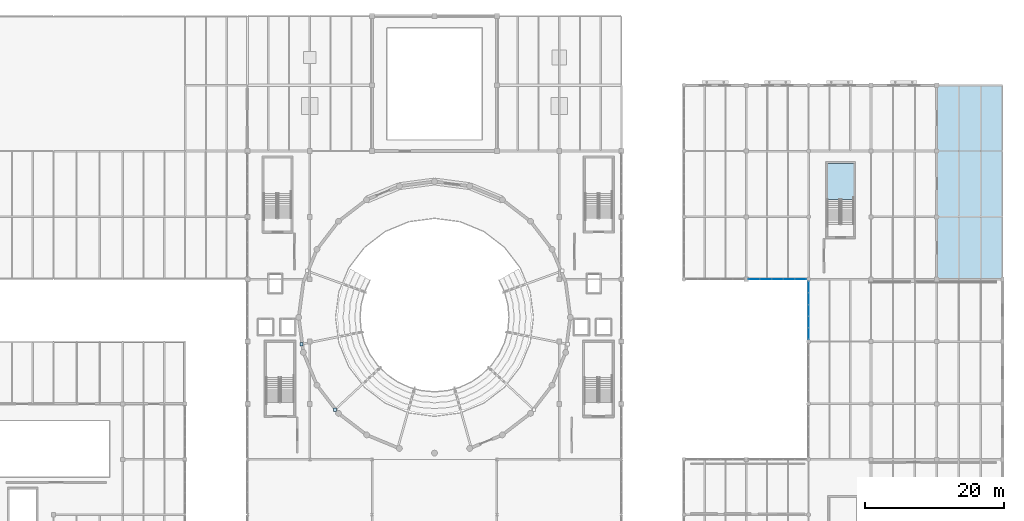
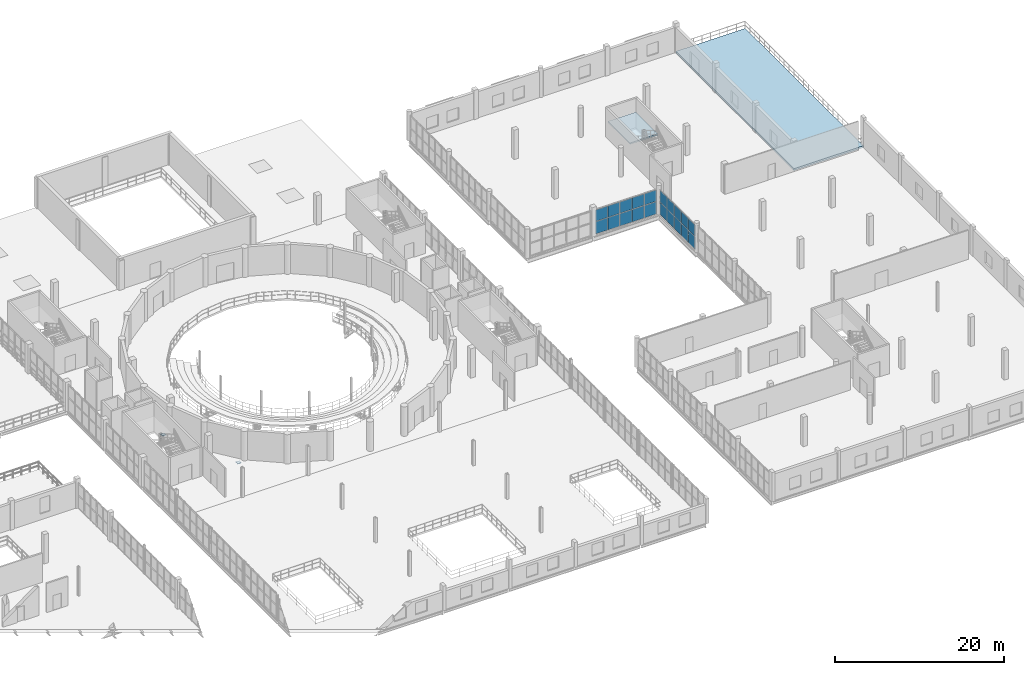
# One storey, part 52 of 73: 22 plates, 2 slabs, 3 elements without a shape of their own.
"""IFC4 building model written with IfcOpenShell, lengths in metres."""

from ifc_helpers import new_model, si_unit, direction, frame, origin, origin_2d, place, context, subcontext, project, spatial, polyline, rectangle, outline, extrude, material, layer, layer_set, type_object, element, aggregate, save


model = new_model("IFC4")

# Units and contexts
model_context = context("Model", 3, precision=1e-05, world=origin(), true_north=direction((0.0, 1.0)))
body_context = subcontext(model_context, "Body", "Model", "MODEL_VIEW")
ifc_project = project(units=[si_unit("LENGTHUNIT", "METRE"), si_unit("AREAUNIT", "SQUARE_METRE"), si_unit("VOLUMEUNIT", "CUBIC_METRE"), si_unit("PLANEANGLEUNIT", "RADIAN"), si_unit("MASSUNIT", "GRAM", prefix="KILO")], contexts=[model_context])

# Site, building, storey
site_placement = place(None, origin())
site = spatial("IfcSite", under=ifc_project, at=site_placement, CompositionType="ELEMENT")
building_placement = place(site_placement, origin())
building = spatial("IfcBuilding", under=site, at=building_placement, Name="Marnock Terrace Opera House", CompositionType="ELEMENT")
storey_placement = place(building_placement, frame((0.0, 0.0, 14.699951171875)))
storey = spatial("IfcBuildingStorey", under=building, at=storey_placement, Name="L03", CompositionType="ELEMENT", Elevation=14.699951171875)

# Curtain wall, plates
ifc_material_1 = material(Name="Anodised architectural bronze aluminium framing", Category="aluminium")
ifc_layer_1 = layer(ifc_material_1, 0.159912109375)
ifc_layer_set_1 = layer_set([ifc_layer_1], Name="Anodised architectural bronze aluminium framing")
curtain_wall_type = type_object("IfcCurtainWallType", Name="CW-LOGGIA-86x42", PredefinedType="NOTDEFINED", material=ifc_layer_set_1)
curtain_wall_1_placement = place(storey_placement, origin())
curtain_wall_1 = element("IfcCurtainWall", 1, at=curtain_wall_1_placement, inside=storey, type_object=curtain_wall_type, Name="L03 glazed Beaux-Arts colonnade curtain wall CW-V5-L03-CE3", PredefinedType="NOTDEFINED")
ifc_material_2 = material(Name="Double-glazed acoustic low-E laminated glass", Category="glass")
ifc_layer_2 = layer(ifc_material_2, 0.028076171875)
ifc_layer_set_2 = layer_set([ifc_layer_2], Name="Double-glazed acoustic low-E laminated glass")
plate_type_1 = type_object("IfcPlateType", Name="CWP-GLZ-28", PredefinedType="CURTAIN_PANEL", material=ifc_layer_set_2)
plate_1_placement = place(storey_placement, frame((136.0, 58.15185546875, 0.06005859375), z_axis=(0.0, 0.0, 1.0), x_axis=(0.0, 1.0, 0.0)))
plate_1 = element("IfcPlate", 2, at=plate_1_placement, type_object=plate_type_1, Name="CW-66 panel 1.1", PredefinedType="CURTAIN_PANEL", context=body_context, shape_type="SweptSolid", body=[
    extrude(rectangle(XDim=1.591552734375, YDim=0.028076171875, at=origin_2d()), origin(), (0.0, 0.0, 1.0), 1.79150390625),
])
plate_2_placement = place(storey_placement, frame((136.0, 58.15185546875, 1.91162109375), z_axis=(0.0, 0.0, 1.0), x_axis=(0.0, 1.0, 0.0)))
plate_2 = element("IfcPlate", 3, at=plate_2_placement, type_object=plate_type_1, Name="CW-66 panel 1.2", PredefinedType="CURTAIN_PANEL", context=body_context, shape_type="SweptSolid", body=[
    extrude(rectangle(XDim=1.591552734375, YDim=0.028076171875, at=origin_2d()), origin(), (0.0, 0.0, 1.0), 1.646484375),
])
plate_3_placement = place(storey_placement, frame((136.0, 59.818359375, 0.06005859375), z_axis=(0.0, 0.0, 1.0), x_axis=(0.0, 1.0, 0.0)))
plate_3 = element("IfcPlate", 4, at=plate_3_placement, type_object=plate_type_1, Name="CW-66 panel 2.1", PredefinedType="CURTAIN_PANEL", context=body_context, shape_type="SweptSolid", body=[
    extrude(rectangle(XDim=1.62158203125, YDim=0.028076171875, at=origin_2d()), origin(), (0.0, 0.0, 1.0), 1.79150390625),
])
plate_4_placement = place(storey_placement, frame((136.0, 59.818359375, 1.91162109375), z_axis=(0.0, 0.0, 1.0), x_axis=(0.0, 1.0, 0.0)))
plate_4 = element("IfcPlate", 5, at=plate_4_placement, type_object=plate_type_1, Name="CW-66 panel 2.2", PredefinedType="CURTAIN_PANEL", context=body_context, shape_type="SweptSolid", body=[
    extrude(rectangle(XDim=1.62158203125, YDim=0.028076171875, at=origin_2d()), origin(), (0.0, 0.0, 1.0), 1.646484375),
])
plate_5_placement = place(storey_placement, frame((136.0, 61.5, 0.06005859375), z_axis=(0.0, 0.0, 1.0), x_axis=(0.0, 1.0, 0.0)))
plate_5 = element("IfcPlate", 6, at=plate_5_placement, type_object=plate_type_1, Name="CW-66 panel 3.1", PredefinedType="CURTAIN_PANEL", context=body_context, shape_type="SweptSolid", body=[
    extrude(rectangle(XDim=1.62158203125, YDim=0.028076171875, at=origin_2d()), origin(), (0.0, 0.0, 1.0), 1.79150390625),
])
plate_6_placement = place(storey_placement, frame((136.0, 61.5, 1.91162109375), z_axis=(0.0, 0.0, 1.0), x_axis=(0.0, 1.0, 0.0)))
plate_6 = element("IfcPlate", 7, at=plate_6_placement, type_object=plate_type_1, Name="CW-66 panel 3.2", PredefinedType="CURTAIN_PANEL", context=body_context, shape_type="SweptSolid", body=[
    extrude(rectangle(XDim=1.62158203125, YDim=0.028076171875, at=origin_2d()), origin(), (0.0, 0.0, 1.0), 1.646484375),
])
plate_7_placement = place(storey_placement, frame((136.0, 63.181640625, 0.06005859375), z_axis=(0.0, 0.0, 1.0), x_axis=(0.0, 1.0, 0.0)))
plate_7 = element("IfcPlate", 8, at=plate_7_placement, type_object=plate_type_1, Name="CW-66 panel 4.1", PredefinedType="CURTAIN_PANEL", context=body_context, shape_type="SweptSolid", body=[
    extrude(rectangle(XDim=1.62158203125, YDim=0.028076171875, at=origin_2d()), origin(), (0.0, 0.0, 1.0), 1.79150390625),
])
plate_8_placement = place(storey_placement, frame((136.0, 63.181640625, 1.91162109375), z_axis=(0.0, 0.0, 1.0), x_axis=(0.0, 1.0, 0.0)))
plate_8 = element("IfcPlate", 9, at=plate_8_placement, type_object=plate_type_1, Name="CW-66 panel 4.2", PredefinedType="CURTAIN_PANEL", context=body_context, shape_type="SweptSolid", body=[
    extrude(rectangle(XDim=1.62158203125, YDim=0.028076171875, at=origin_2d()), origin(), (0.0, 0.0, 1.0), 1.646484375),
])
plate_9_placement = place(storey_placement, frame((136.0, 64.84814453125, 0.06005859375), z_axis=(0.0, 0.0, 1.0), x_axis=(0.0, 1.0, 0.0)))
plate_9 = element("IfcPlate", 10, at=plate_9_placement, type_object=plate_type_1, Name="CW-66 panel 5.1", PredefinedType="CURTAIN_PANEL", context=body_context, shape_type="SweptSolid", body=[
    extrude(rectangle(XDim=1.591552734375, YDim=0.028076171875, at=origin_2d()), origin(), (0.0, 0.0, 1.0), 1.79150390625),
])
plate_10_placement = place(storey_placement, frame((136.0, 64.84814453125, 1.91162109375), z_axis=(0.0, 0.0, 1.0), x_axis=(0.0, 1.0, 0.0)))
plate_10 = element("IfcPlate", 11, at=plate_10_placement, type_object=plate_type_1, Name="CW-66 panel 5.2", PredefinedType="CURTAIN_PANEL", context=body_context, shape_type="SweptSolid", body=[
    extrude(rectangle(XDim=1.591552734375, YDim=0.028076171875, at=origin_2d()), origin(), (0.0, 0.0, 1.0), 1.646484375),
])
aggregate(curtain_wall_1, [plate_1, plate_2, plate_3, plate_4, plate_5, plate_6, plate_7, plate_8, plate_9, plate_10])

curtain_wall_2_placement = place(storey_placement, origin())
curtain_wall_2 = element("IfcCurtainWall", 12, at=curtain_wall_2_placement, inside=storey, type_object=curtain_wall_type, Name="L03 glazed Beaux-Arts colonnade curtain wall CW-V5-L03-CN2", PredefinedType="NOTDEFINED")
plate_11_placement = place(storey_placement, frame((128.15185546875, 66.0, 0.06005859375), z_axis=(0.0, 0.0, 1.0), x_axis=(1.0, 0.0, 0.0)))
plate_11 = element("IfcPlate", 13, at=plate_11_placement, type_object=plate_type_1, Name="CW-66 panel 1.1", PredefinedType="CURTAIN_PANEL", context=body_context, shape_type="SweptSolid", body=[
    extrude(rectangle(XDim=1.591552734375, YDim=0.028076171875, at=origin_2d()), origin(), (0.0, 0.0, 1.0), 1.786376953125),
])
plate_12_placement = place(storey_placement, frame((128.15185546875, 66.0, 1.906494140625), z_axis=(0.0, 0.0, 1.0), x_axis=(1.0, 0.0, 0.0)))
plate_12 = element("IfcPlate", 14, at=plate_12_placement, type_object=plate_type_1, Name="CW-66 panel 1.2", PredefinedType="CURTAIN_PANEL", context=body_context, shape_type="SweptSolid", body=[
    extrude(rectangle(XDim=1.591552734375, YDim=0.028076171875, at=origin_2d()), origin(), (0.0, 0.0, 1.0), 1.64208984375),
])
plate_13_placement = place(storey_placement, frame((129.818359375, 66.0, 0.06005859375), z_axis=(0.0, 0.0, 1.0), x_axis=(1.0, 0.0, 0.0)))
plate_13 = element("IfcPlate", 15, at=plate_13_placement, type_object=plate_type_1, Name="CW-66 panel 2.1", PredefinedType="CURTAIN_PANEL", context=body_context, shape_type="SweptSolid", body=[
    extrude(rectangle(XDim=1.62158203125, YDim=0.028076171875, at=origin_2d()), origin(), (0.0, 0.0, 1.0), 1.786376953125),
])
plate_14_placement = place(storey_placement, frame((129.818359375, 66.0, 1.906494140625), z_axis=(0.0, 0.0, 1.0), x_axis=(1.0, 0.0, 0.0)))
plate_14 = element("IfcPlate", 16, at=plate_14_placement, type_object=plate_type_1, Name="CW-66 panel 2.2", PredefinedType="CURTAIN_PANEL", context=body_context, shape_type="SweptSolid", body=[
    extrude(rectangle(XDim=1.62158203125, YDim=0.028076171875, at=origin_2d()), origin(), (0.0, 0.0, 1.0), 1.64208984375),
])
plate_15_placement = place(storey_placement, frame((131.5, 66.0, 0.06005859375), z_axis=(0.0, 0.0, 1.0), x_axis=(1.0, 0.0, 0.0)))
plate_15 = element("IfcPlate", 17, at=plate_15_placement, type_object=plate_type_1, Name="CW-66 panel 3.1", PredefinedType="CURTAIN_PANEL", context=body_context, shape_type="SweptSolid", body=[
    extrude(rectangle(XDim=1.62158203125, YDim=0.028076171875, at=origin_2d()), origin(), (0.0, 0.0, 1.0), 1.786376953125),
])
plate_16_placement = place(storey_placement, frame((131.5, 66.0, 1.906494140625), z_axis=(0.0, 0.0, 1.0), x_axis=(1.0, 0.0, 0.0)))
plate_16 = element("IfcPlate", 18, at=plate_16_placement, type_object=plate_type_1, Name="CW-66 panel 3.2", PredefinedType="CURTAIN_PANEL", context=body_context, shape_type="SweptSolid", body=[
    extrude(rectangle(XDim=1.62158203125, YDim=0.028076171875, at=origin_2d()), origin(), (0.0, 0.0, 1.0), 1.64208984375),
])
plate_17_placement = place(storey_placement, frame((133.181640625, 66.0, 0.06005859375), z_axis=(0.0, 0.0, 1.0), x_axis=(1.0, 0.0, 0.0)))
plate_17 = element("IfcPlate", 19, at=plate_17_placement, type_object=plate_type_1, Name="CW-66 panel 4.1", PredefinedType="CURTAIN_PANEL", context=body_context, shape_type="SweptSolid", body=[
    extrude(rectangle(XDim=1.62158203125, YDim=0.028076171875, at=origin_2d()), origin(), (0.0, 0.0, 1.0), 1.786376953125),
])
plate_18_placement = place(storey_placement, frame((133.181640625, 66.0, 1.906494140625), z_axis=(0.0, 0.0, 1.0), x_axis=(1.0, 0.0, 0.0)))
plate_18 = element("IfcPlate", 20, at=plate_18_placement, type_object=plate_type_1, Name="CW-66 panel 4.2", PredefinedType="CURTAIN_PANEL", context=body_context, shape_type="SweptSolid", body=[
    extrude(rectangle(XDim=1.62158203125, YDim=0.028076171875, at=origin_2d()), origin(), (0.0, 0.0, 1.0), 1.64208984375),
])
plate_19_placement = place(storey_placement, frame((134.84814453125, 66.0, 0.06005859375), z_axis=(0.0, 0.0, 1.0), x_axis=(1.0, 0.0, 0.0)))
plate_19 = element("IfcPlate", 21, at=plate_19_placement, type_object=plate_type_1, Name="CW-66 panel 5.1", PredefinedType="CURTAIN_PANEL", context=body_context, shape_type="SweptSolid", body=[
    extrude(rectangle(XDim=1.591552734375, YDim=0.028076171875, at=origin_2d()), origin(), (0.0, 0.0, 1.0), 1.786376953125),
])
plate_20_placement = place(storey_placement, frame((134.84814453125, 66.0, 1.906494140625), z_axis=(0.0, 0.0, 1.0), x_axis=(1.0, 0.0, 0.0)))
plate_20 = element("IfcPlate", 22, at=plate_20_placement, type_object=plate_type_1, Name="CW-66 panel 5.2", PredefinedType="CURTAIN_PANEL", context=body_context, shape_type="SweptSolid", body=[
    extrude(rectangle(XDim=1.591552734375, YDim=0.028076171875, at=origin_2d()), origin(), (0.0, 0.0, 1.0), 1.64208984375),
])
aggregate(curtain_wall_2, [plate_11, plate_12, plate_13, plate_14, plate_15, plate_16, plate_17, plate_18, plate_19, plate_20])

# Plates
ifc_material_3 = material(Name="Steel Grade 350 (AS/NZS 3679.1)", Category="steel")
ifc_layer_3 = layer(ifc_material_3, 0.035888671875)
ifc_layer_set_3 = layer_set([ifc_layer_3], Name="Steel Grade 350 (AS/NZS 3679.1)")
plate_type_2 = type_object("IfcPlateType", Name="PLT-SHOE-480x36", PredefinedType="SHEET", material=ifc_layer_set_3)
for number, where, z_axis, x_axis, name in (
    (23, (62.78857421875, 56.6162109375, -0.66796875), (0.0, 0.0, 1.0), (1.0, 0.0, 0.0), "L03 Auditorium raker girder 2 drum shear-wall cast-in embed plate"),
    (24, (67.632080078125, 47.168701171875, -0.66796875), (0.0, 0.0, 1.0), (1.0, 0.0, 0.0), "L03 Auditorium raker girder 3 drum shear-wall cast-in embed plate"),
):
    element("IfcPlate", number, at=place(storey_placement, frame(where, z_axis=z_axis, x_axis=x_axis)), inside=storey, type_object=plate_type_2, Name=name, PredefinedType="SHEET", context=body_context, shape_type="SweptSolid", body=[
        extrude(rectangle(XDim=0.47998046875, YDim=0.47998046875, at=origin_2d()), origin(), (0.0, 0.0, 1.0), 0.035888671875),
    ])

# Stair, slab
ifc_material_4 = material(Name="Concrete N40 (f'c = 40 MPa)", Category="concrete")
stair_type = type_object("IfcStairType", Name="ST-TYPE-2000", PredefinedType="HALF_TURN_STAIR", material=ifc_material_4)
stair_placement = place(storey_placement, origin())
stair = element("IfcStair", 25, at=stair_placement, inside=storey, type_object=stair_type, Name="L03 ST-08", PredefinedType="HALF_TURN_STAIR")
ifc_material_5 = material(Name="Concrete N32 (f'c = 32 MPa)", Category="concrete")
ifc_layer_4 = layer(ifc_material_5, 0.199951171875)
ifc_layer_set_4 = layer_set([ifc_layer_4], Name="Concrete N32 (f'c = 32 MPa)")
slab_type_1 = type_object("IfcSlabType", Name="SL-LAND-200", PredefinedType="LANDING", material=ifc_layer_set_4)
slab_1_placement = place(storey_placement, frame((0.0, 0.0, 2.050048828125)))
slab_1 = element("IfcSlab", 26, at=slab_1_placement, type_object=slab_type_1, Name="ST-08 landing 1", PredefinedType="LANDING", context=body_context, shape_type="SweptSolid", body=[
    extrude(outline(polyline([(142.52001953125, 77.52001953125), (142.52001953125, 82.719970703125), (138.719970703125, 82.719970703125), (138.719970703125, 77.52001953125), (142.52001953125, 77.52001953125)])), origin(), (0.0, 0.0, 1.0), 0.199951171875),
])
aggregate(stair, [slab_1])

# Slab
ifc_layer_5 = layer(ifc_material_4, 0.27001953125)
ifc_layer_set_5 = layer_set([ifc_layer_5], Name="Concrete N40 (f'c = 40 MPa)")
slab_type_2 = type_object("IfcSlabType", Name="SL-TERR-270", PredefinedType="ROOF", material=ifc_layer_set_5)
slab_2_placement = place(storey_placement, frame((0.0, 0.0, -0.27001953125)))
element("IfcSlab", 27, at=slab_2_placement, inside=storey, type_object=slab_type_2, Name="planted roof garden terrace slab SL-TERR-L03-V5", PredefinedType="ROOF", context=body_context, shape_type="SweptSolid", body=[
    extrude(outline(polyline([(154.5, 66.0), (164.0, 66.0), (164.0, 94.0), (154.5, 94.0), (154.5, 66.0)])), origin(), (0.0, 0.0, 1.0), 0.27001953125),
])

save(model, "model.ifc")
